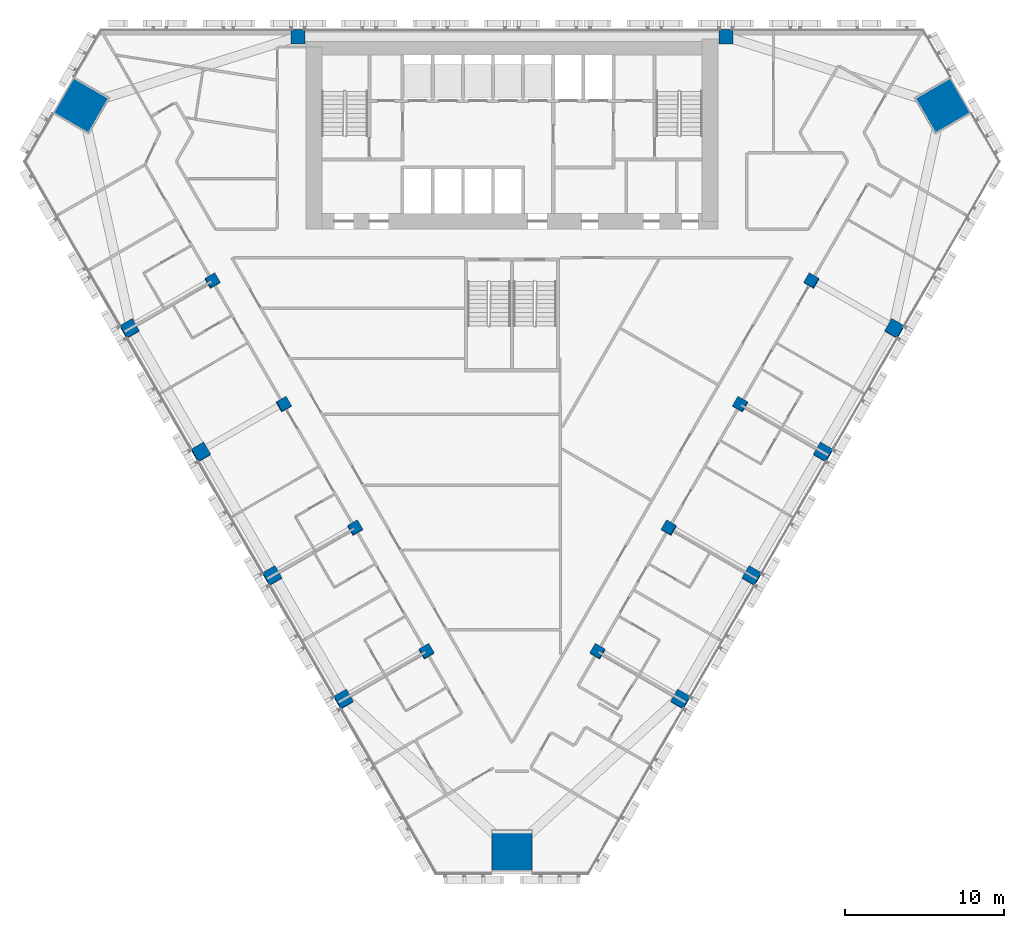
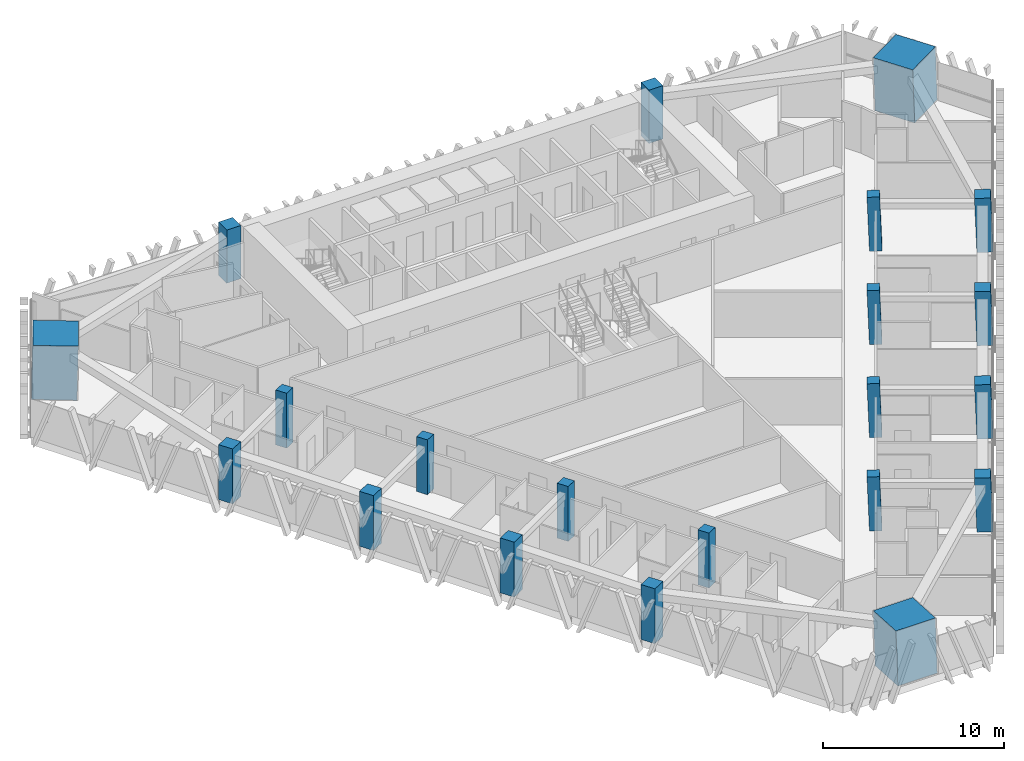
# One storey, part 1 of 18: 21 columns.
"""IFC4 building model written with IfcOpenShell, lengths in metres."""

from ifc_helpers import new_model, si_unit, direction, frame, origin, origin_2d, place, context, subcontext, project, spatial, rectangle, extrude, material, material_profile, profile_set, type_object, element, save


model = new_model("IFC4")

# Units and contexts
model_context = context("Model", 3, precision=1e-05, world=origin(), true_north=direction((0.0, 1.0)))
body_context = subcontext(model_context, "Body", "Model", "MODEL_VIEW")
ifc_project = project(units=[si_unit("LENGTHUNIT", "METRE"), si_unit("AREAUNIT", "SQUARE_METRE"), si_unit("VOLUMEUNIT", "CUBIC_METRE"), si_unit("PLANEANGLEUNIT", "RADIAN"), si_unit("MASSUNIT", "GRAM", prefix="KILO")], contexts=[model_context])

# Site, building, storey
site_placement = place(None, origin())
site = spatial("IfcSite", under=ifc_project, at=site_placement, CompositionType="ELEMENT")
building_placement = place(site_placement, origin())
building = spatial("IfcBuilding", under=site, at=building_placement, Name="Altiplano Prism Tower", CompositionType="ELEMENT")
storey_placement = place(building_placement, frame((0.0, 0.0, 45.0)))
storey = spatial("IfcBuildingStorey", under=building, at=storey_placement, Name="L10", CompositionType="ELEMENT", Elevation=45.0)

# Columns
ifc_material_1 = material(Name="Concrete C60/75", Category="concrete")
ifc_material_profile_1 = material_profile(ifc_material_1, rectangle(XDim=0.699951171875, YDim=0.699951171875, at=origin_2d()), Name="Inner column 700")
ifc_profile_set_1 = profile_set([ifc_material_profile_1], Name="Concrete C60/75")
column_type_1 = type_object("IfcColumnType", Name="Inner column 700", PredefinedType="COLUMN", material=ifc_profile_set_1)
for number, where, z_axis, x_axis, name in (
    (1, (66.092041015625, 89.13330078125, -0.021240234375), (0.022221406801, 0.038413224561, 0.999014831351), (-0.866022940762, -0.49852506699, 0.038432065479), "Inner column I11 L10"),
    (2, (70.592041015625, 81.339111328125, -0.021240234375), (0.022221406801, 0.038413224561, 0.999014831351), (-0.866018695017, -0.49853242796, 0.038432254077), "Inner column I12 L10"),
    (3, (75.092041015625, 73.544677734375, -0.021240234375), (0.02222134892, 0.038480872521, 0.999012229206), (-0.865639418776, -0.499186807044, 0.038482831667), "Inner column I13 L10"),
    (4, (79.592041015625, 65.75048828125, -0.021240234375), (0.02222134892, 0.038480872521, 0.999012229206), (-0.865637864887, -0.499189496312, 0.038482900691), "Inner column I14 L10"),
    (5, (90.407958984375, 65.75048828125, -0.021240234375), (-0.02222134892, 0.038480872521, 0.999012229206), (-0.500177267103, -0.865637955049, 0.022217836353), "Inner column I21 L10"),
    (6, (94.907958984375, 73.544677734375, -0.021240234375), (-0.02222134892, 0.038480872521, 0.999012229206), (-0.500174577835, -0.86563950587, 0.022217955907), "Inner column I22 L10"),
    (7, (99.407958984375, 81.339111328125, -0.021240234375), (-0.022221406801, 0.038413224561, 0.999014831351), (-0.499517596248, -0.866019539301, 0.022188478721), "Inner column I23 L10"),
    (8, (103.907958984375, 89.13330078125, -0.021240234375), (-0.022221406801, 0.038413224561, 0.999014831351), (-0.499514905797, -0.86602108808, 0.022188598117), "Inner column I24 L10"),
):
    element("IfcColumn", number, at=place(storey_placement, frame(where, z_axis=z_axis, x_axis=x_axis)), inside=storey, type_object=column_type_1, Name=name, PredefinedType="COLUMN", context=body_context, shape_type="SweptSolid", body=[
        extrude(rectangle(XDim=0.699951171875, YDim=0.699951171875, at=origin_2d()), origin(), (0.0, 0.0, 1.0), 3.603759765625),
    ])
ifc_material_2 = material(Name="Concrete C70/85", Category="concrete")
ifc_material_profile_2 = material_profile(ifc_material_2, rectangle(XDim=2.52001953125, YDim=2.52001953125, at=origin_2d()), Name="Mega column infill 2600")
ifc_profile_set_2 = profile_set([ifc_material_profile_2], Name="Concrete C70/85")
column_type_2 = type_object("IfcColumnType", Name="Mega column infill 2600", PredefinedType="COLUMN", material=ifc_profile_set_2)
column_1_placement = place(storey_placement, frame((57.763916015625, 100.1865234375, 0.0), z_axis=(0.028401814599, 0.009218727412, 0.999554076572), x_axis=(-0.865122998738, 0.501162448814, 0.019959883591)))
element("IfcColumn", 9, at=column_1_placement, inside=storey, type_object=column_type_2, Name="Mega column M0 L10", PredefinedType="COLUMN", context=body_context, shape_type="SweptSolid", body=[
    extrude(rectangle(XDim=2.52001953125, YDim=2.52001953125, at=origin_2d()), origin(), (0.0, 0.0, 1.0), 3.601806640625),
])
column_2_placement = place(storey_placement, frame((85.0, 53.012451171875, 0.0), z_axis=(0.0, 0.058356907999, 0.998295783467), x_axis=(-1.0, 0.0, 0.0)))
element("IfcColumn", 10, at=column_2_placement, inside=storey, type_object=column_type_2, Name="Mega column M1 L10", PredefinedType="COLUMN", context=body_context, shape_type="SweptSolid", body=[
    extrude(rectangle(XDim=2.52001953125, YDim=2.52001953125, at=origin_2d()), origin(), (0.0, 0.0, 1.0), 3.606201171875),
])
column_3_placement = place(storey_placement, frame((112.236083984375, 100.1865234375, 0.0), z_axis=(-0.028401814599, 0.009218727412, 0.999554076572), x_axis=(0.500757455385, -0.86530267379, 0.022209313539)))
element("IfcColumn", 11, at=column_3_placement, inside=storey, type_object=column_type_2, Name="Mega column M2 L10", PredefinedType="COLUMN", context=body_context, shape_type="SweptSolid", body=[
    extrude(rectangle(XDim=2.52001953125, YDim=2.52001953125, at=origin_2d()), origin(), (0.0, 0.0, 1.0), 3.601806640625),
])
ifc_material_profile_3 = material_profile(ifc_material_1, rectangle(XDim=0.89990234375, YDim=0.89990234375, at=origin_2d()), Name="Perimeter column 900")
ifc_profile_set_3 = profile_set([ifc_material_profile_3], Name="Concrete C60/75")
column_type_3 = type_object("IfcColumnType", Name="Perimeter column 900", PredefinedType="COLUMN", material=ifc_profile_set_3)
for number, where, z_axis, x_axis, name in (
    (12, (98.5, 104.550048828125, 0.0), (0.0, 0.0, 1.0), (1.0, 0.0, 0.0), "Perimeter column P01 L10"),
    (13, (71.5, 104.550048828125, 0.0), (0.0, 0.0, 1.0), (1.0, 0.0, 0.0), "Perimeter column P04 L10"),
):
    element("IfcColumn", number, at=place(storey_placement, frame(where, z_axis=z_axis, x_axis=x_axis)), inside=storey, type_object=column_type_3, Name=name, PredefinedType="COLUMN", context=body_context, shape_type="SweptSolid", body=[
        extrude(rectangle(XDim=0.89990234375, YDim=0.89990234375, at=origin_2d()), origin(), (0.0, 0.0, 1.0), 3.60009765625),
    ])
for number, where, z_axis, x_axis, name in (
    (14, (60.8525390625, 86.10791015625, -0.02734375), (0.02222134892, 0.038480872521, 0.999012229206), (-0.865638283914, -0.499188771117, 0.038482882078), "Perimeter column P11 L10"),
    (15, (65.3525390625, 78.313720703125, -0.02734375), (0.02222134892, 0.038480872521, 0.999012229206), (-0.865636730018, -0.499191460381, 0.038482951101), "Perimeter column P12 L10"),
    (16, (69.8525390625, 70.51953125, -0.02734375), (0.02222134892, 0.038480872521, 0.999012229206), (-0.865639418776, -0.499186807044, 0.038482831667), "Perimeter column P13 L10"),
    (17, (74.3525390625, 62.725341796875, -0.02734375), (0.022221406801, 0.038413224561, 0.999014831351), (-0.866019837102, -0.498530447908, 0.038432203346), "Perimeter column P14 L10"),
    (18, (95.6474609375, 62.725341796875, -0.02734375), (-0.022221406801, 0.038413224561, 0.999014831351), (-0.499515616198, -0.866020679134, 0.022188566591), "Perimeter column P21 L10"),
    (19, (100.1474609375, 70.51953125, -0.02734375), (-0.02222134892, 0.038480872521, 0.999012229206), (-0.500174577835, -0.86563950587, 0.022217955907), "Perimeter column P22 L10"),
    (20, (104.6474609375, 78.313720703125, -0.02734375), (-0.02222134892, 0.038480872521, 0.999012229206), (-0.500179231171, -0.865636822422, 0.022217749038), "Perimeter column P23 L10"),
    (21, (109.1474609375, 86.10791015625, -0.02734375), (-0.02222134892, 0.038480872521, 0.999012229206), (-0.500176541907, -0.865638373249, 0.022217868592), "Perimeter column P24 L10"),
):
    element("IfcColumn", number, at=place(storey_placement, frame(where, z_axis=z_axis, x_axis=x_axis)), inside=storey, type_object=column_type_3, Name=name, PredefinedType="COLUMN", context=body_context, shape_type="SweptSolid", body=[
        extrude(rectangle(XDim=0.89990234375, YDim=0.89990234375, at=origin_2d()), origin(), (0.0, 0.0, 1.0), 3.603759765625),
    ])

save(model, "model.ifc")
